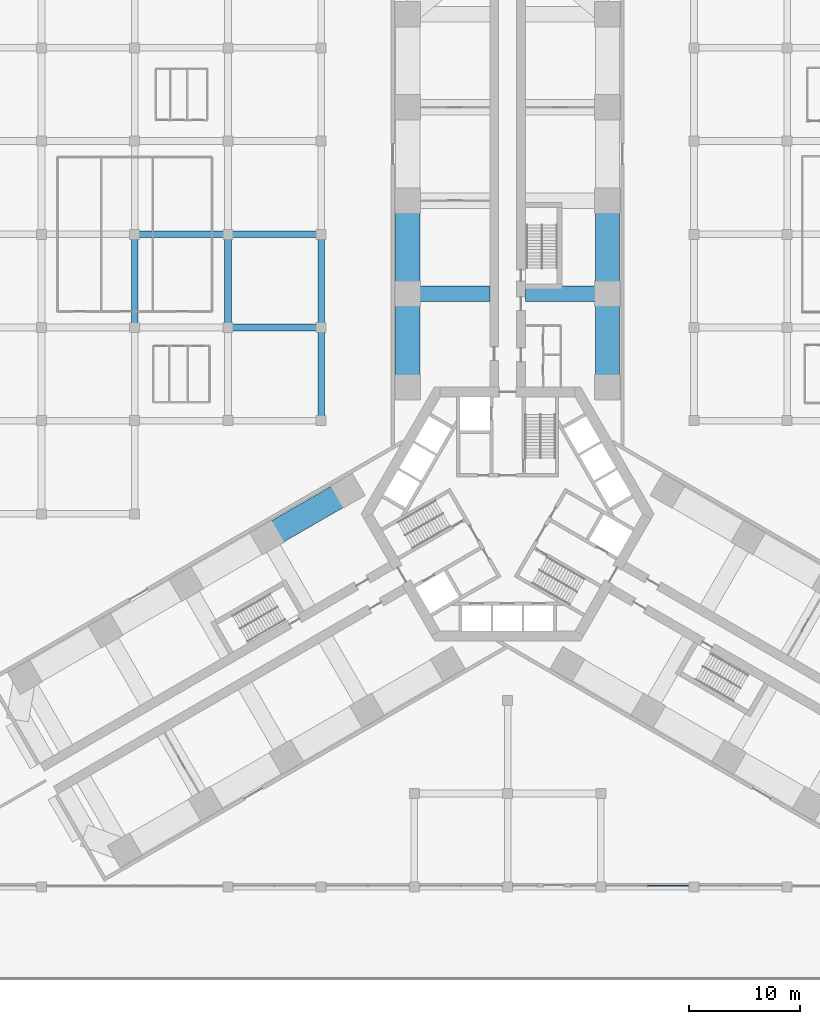
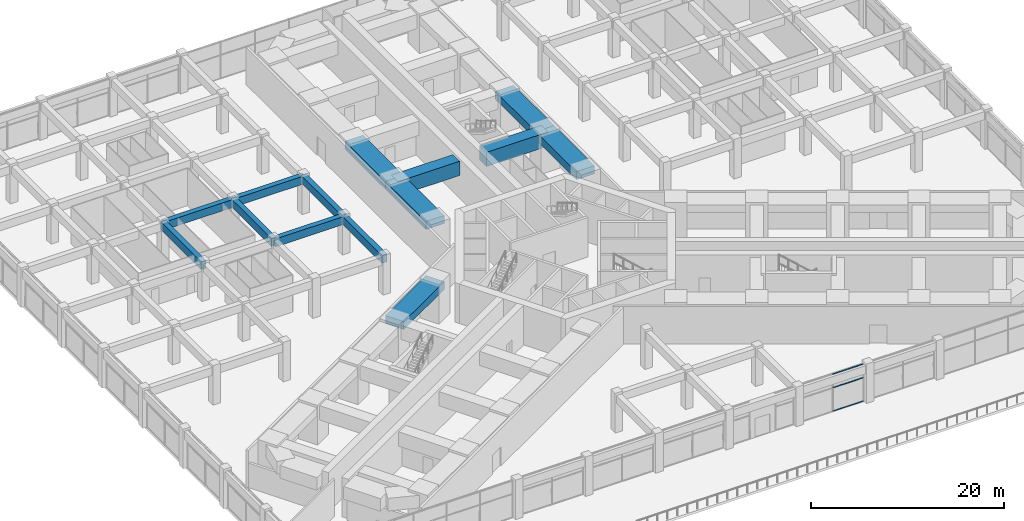
# One storey, part 10 of 36: 14 beams, 3 members, 1 element without a shape of its own.
"""IFC4 building model written with IfcOpenShell, lengths in metres."""

from ifc_helpers import new_model, si_unit, direction, frame, origin, origin_2d, place, context, subcontext, project, spatial, rectangle, extrude, material, material_profile, profile_set, type_object, element, aggregate, save


model = new_model("IFC4")

# Units and contexts
model_context = context("Model", 3, precision=1e-05, world=origin(), true_north=direction((0.0, 1.0)))
body_context = subcontext(model_context, "Body", "Model", "MODEL_VIEW")
ifc_project = project(units=[si_unit("LENGTHUNIT", "METRE"), si_unit("AREAUNIT", "SQUARE_METRE"), si_unit("VOLUMEUNIT", "CUBIC_METRE"), si_unit("PLANEANGLEUNIT", "RADIAN"), si_unit("MASSUNIT", "GRAM", prefix="KILO")], contexts=[model_context])

# Site, building, storey
site_placement = place(None, origin())
site = spatial("IfcSite", under=ifc_project, at=site_placement, CompositionType="ELEMENT")
building_placement = place(site_placement, origin())
building = spatial("IfcBuilding", under=site, at=building_placement, Name="Impinga Residences", CompositionType="ELEMENT")
storey_placement = place(building_placement, frame((0.0, 0.0, 6.0)))
storey = spatial("IfcBuildingStorey", under=building, at=storey_placement, Name="L01", CompositionType="ELEMENT", Elevation=6.0)

# Beams
ifc_material_1 = material(Name="Concrete C60/75", Category="concrete")
ifc_material_profile_1 = material_profile(ifc_material_1, rectangle(XDim=1.39990234375, YDim=1.800048828125, at=origin_2d()), Name="RC 1400x1800")
ifc_profile_set_1 = profile_set([ifc_material_profile_1], Name="Concrete C60/75")
beam_type_1 = type_object("IfcBeamType", Name="CG4 1400x1800 cross girder on a wing bay line under the podium floors", PredefinedType="BEAM", material=ifc_profile_set_1)
for number, where, z_axis, x_axis, name in (
    (1, (-1.60009765625, 19.83154296875, 3.800048828125), (-1.0, 0.0, 0.0), (0.0, -1.0, 0.0), "Beam CG4 N2 NC/NA level L02"),
    (2, (1.60009765625, 19.83154296875, 3.800048828125), (1.0, 0.0, 0.0), (0.0, 1.0, 0.0), "Beam CG4 N2 NC/NF level L02"),
):
    element("IfcBeam", number, at=place(storey_placement, frame(where, z_axis=z_axis, x_axis=x_axis)), inside=storey, type_object=beam_type_1, Name=name, PredefinedType="BEAM", context=body_context, shape_type="SweptSolid", body=[
        extrude(rectangle(XDim=1.39990234375, YDim=1.800048828125, at=origin_2d()), origin(), (0.0, 0.0, 1.0), 7.39990234375),
    ])

# Curtain wall, members
ifc_material_2 = material(Name="Aluminium stick curtain wall", Category="aluminium")
curtain_wall_type = type_object("IfcCurtainWallType", Name="CW1 podium amenity curtain wall", PredefinedType="USERDEFINED", material=ifc_material_2)
curtain_wall_placement = place(storey_placement, origin())
curtain_wall = element("IfcCurtainWall", 3, at=curtain_wall_placement, inside=storey, type_object=curtain_wall_type, Name="Curtain wall CW1 L01", ObjectType="STICK CURTAIN WALL", PredefinedType="USERDEFINED")
ifc_material_3 = material(Name="Aluminium transom", Category="aluminium")
ifc_material_profile_2 = material_profile(ifc_material_3, rectangle(XDim=0.06005859375, YDim=0.1201171875, at=origin_2d()), Name="60x120 transom")
ifc_profile_set_2 = profile_set([ifc_material_profile_2], Name="Aluminium transom")
member_type = type_object("IfcMemberType", Name="CW1-T transom 60x120", PredefinedType="USERDEFINED", material=ifc_profile_set_2)
member_1_placement = place(storey_placement, frame((16.287109375, -33.5, 0.030029296875), z_axis=(-1.0, 0.0, 0.0), x_axis=(0.0, 0.0, 1.0)))
member_1 = element("IfcMember", 4, at=member_1_placement, type_object=member_type, Name="CW1 transom 1.1", ObjectType="TRANSOM", PredefinedType="USERDEFINED", context=body_context, shape_type="SweptSolid", body=[
    extrude(rectangle(XDim=0.06005859375, YDim=0.1201171875, at=origin_2d()), origin(), (0.0, 0.0, 1.0), 3.6572265625),
])
member_2_placement = place(storey_placement, frame((16.287109375, -33.5, 3.0), z_axis=(-1.0, 0.0, 0.0), x_axis=(0.0, 0.0, 1.0)))
member_2 = element("IfcMember", 5, at=member_2_placement, type_object=member_type, Name="CW1 transom 1.2", ObjectType="TRANSOM", PredefinedType="USERDEFINED", context=body_context, shape_type="SweptSolid", body=[
    extrude(rectangle(XDim=0.06005859375, YDim=0.1201171875, at=origin_2d()), origin(), (0.0, 0.0, 1.0), 3.6572265625),
])
member_3_placement = place(storey_placement, frame((16.287109375, -33.5, 4.669921875), z_axis=(-1.0, 0.0, 0.0), x_axis=(0.0, 0.0, 1.0)))
member_3 = element("IfcMember", 6, at=member_3_placement, type_object=member_type, Name="CW1 transom 1.3", ObjectType="TRANSOM", PredefinedType="USERDEFINED", context=body_context, shape_type="SweptSolid", body=[
    extrude(rectangle(XDim=0.06005859375, YDim=0.1201171875, at=origin_2d()), origin(), (0.0, 0.0, 1.0), 3.6572265625),
])
aggregate(curtain_wall, [member_1, member_2, member_3])

# Beams
ifc_material_profile_3 = material_profile(ifc_material_1, rectangle(XDim=0.60009765625, YDim=1.0, at=origin_2d()), Name="RC 600x1000")
ifc_profile_set_3 = profile_set([ifc_material_profile_3], Name="Concrete C60/75")
beam_type_2 = type_object("IfcBeamType", Name="PB2 600x1000 podium beam", PredefinedType="BEAM", material=ifc_profile_set_3)
beam_1_placement = place(storey_placement, frame((-25.199951171875, 16.800048828125, 4.199951171875), z_axis=(1.0, 0.0, 0.0), x_axis=(0.0, 1.0, 0.0)))
element("IfcBeam", 7, at=beam_1_placement, inside=storey, type_object=beam_type_2, Name="Beam PB2 H/4-5 level L02", PredefinedType="BEAM", context=body_context, shape_type="SweptSolid", body=[
    extrude(rectangle(XDim=0.60009765625, YDim=1.0, at=origin_2d()), origin(), (0.0, 0.0, 1.0), 8.39990234375),
])
beam_2_placement = place(storey_placement, frame((-33.60009765625, 25.199951171875, 4.199951171875), z_axis=(1.0, 0.0, 0.0), x_axis=(0.0, 1.0, 0.0)))
element("IfcBeam", 8, at=beam_2_placement, inside=storey, type_object=beam_type_2, Name="Beam PB2 J/3-4 level L02", PredefinedType="BEAM", context=body_context, shape_type="SweptSolid", body=[
    extrude(rectangle(XDim=0.60009765625, YDim=1.0, at=origin_2d()), origin(), (0.0, 0.0, 1.0), 8.400146484375),
])
for number, where, z_axis, x_axis, name in (
    (9, (-25.199951171875, 25.199951171875, 4.199951171875), (1.0, 0.0, 0.0), (0.0, 1.0, 0.0), "Beam PB2 J/4-5 level L02"),
    (10, (-33.60009765625, 16.800048828125, 4.199951171875), (0.0, 1.0, 0.0), (-1.0, 0.0, 0.0), "Beam PB2 3/H-J level L02"),
    (11, (-25.199951171875, 16.800048828125, 4.199951171875), (0.0, 1.0, 0.0), (-1.0, 0.0, 0.0), "Beam PB2 4/H-J level L02"),
):
    element("IfcBeam", number, at=place(storey_placement, frame(where, z_axis=z_axis, x_axis=x_axis)), inside=storey, type_object=beam_type_2, Name=name, PredefinedType="BEAM", context=body_context, shape_type="SweptSolid", body=[
        extrude(rectangle(XDim=0.60009765625, YDim=1.0, at=origin_2d()), origin(), (0.0, 0.0, 1.0), 8.39990234375),
    ])
beam_3_placement = place(storey_placement, frame((-16.800048828125, 8.39990234375, 4.199951171875), z_axis=(0.0, 1.0, 0.0), x_axis=(-1.0, 0.0, 0.0)))
element("IfcBeam", 12, at=beam_3_placement, inside=storey, type_object=beam_type_2, Name="Beam PB2 5/G-H level L02", PredefinedType="BEAM", context=body_context, shape_type="SweptSolid", body=[
    extrude(rectangle(XDim=0.60009765625, YDim=1.0, at=origin_2d()), origin(), (0.0, 0.0, 1.0), 8.400146484375),
])
beam_4_placement = place(storey_placement, frame((-16.800048828125, 16.800048828125, 4.199951171875), z_axis=(0.0, 1.0, 0.0), x_axis=(-1.0, 0.0, 0.0)))
element("IfcBeam", 13, at=beam_4_placement, inside=storey, type_object=beam_type_2, Name="Beam PB2 5/H-J level L02", PredefinedType="BEAM", context=body_context, shape_type="SweptSolid", body=[
    extrude(rectangle(XDim=0.60009765625, YDim=1.0, at=origin_2d()), origin(), (0.0, 0.0, 1.0), 8.39990234375),
])
ifc_material_profile_4 = material_profile(ifc_material_1, rectangle(XDim=2.199951171875, YDim=1.0, at=origin_2d()), Name="RC 2200x1000")
ifc_profile_set_4 = profile_set([ifc_material_profile_4], Name="Concrete C60/75")
beam_type_3 = type_object("IfcBeamType", Name="PB3 2200x1000 podium band beam", PredefinedType="BEAM", material=ifc_profile_set_4)
for number, where, z_axis, x_axis, name in (
    (14, (-9.0, 11.431640625, 4.199951171875), (0.0, 1.0, 0.0), (-1.0, 0.0, 0.0), "Beam PB3 NA N1-N2 level L02"),
    (15, (-9.0, 19.83154296875, 4.199951171875), (0.0, 1.0, 0.0), (-1.0, 0.0, 0.0), "Beam PB3 NA N2-N3 level L02"),
    (16, (9.0, 11.431640625, 4.199951171875), (0.0, 1.0, 0.0), (-1.0, 0.0, 0.0), "Beam PB3 NF N1-N2 level L02"),
    (17, (9.0, 19.83154296875, 4.199951171875), (0.0, 1.0, 0.0), (-1.0, 0.0, 0.0), "Beam PB3 NF N2-N3 level L02"),
    (18, (-14.39990234375, 2.078369140625, 4.199951171875), (-0.86602925447, -0.499993330357, 0.0), (0.499993330357, -0.86602925447, 0.0), "Beam PB3 WF W1-W2 level L02"),
):
    element("IfcBeam", number, at=place(storey_placement, frame(where, z_axis=z_axis, x_axis=x_axis)), inside=storey, type_object=beam_type_3, Name=name, PredefinedType="BEAM", context=body_context, shape_type="SweptSolid", body=[
        extrude(rectangle(XDim=2.199951171875, YDim=1.0, at=origin_2d()), origin(), (0.0, 0.0, 1.0), 8.39990234375),
    ])

save(model, "model.ifc")
